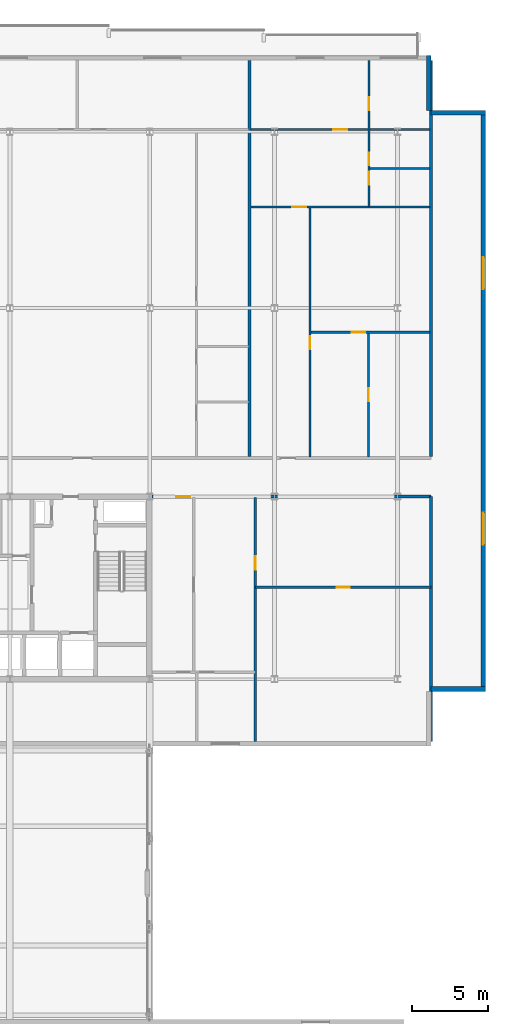
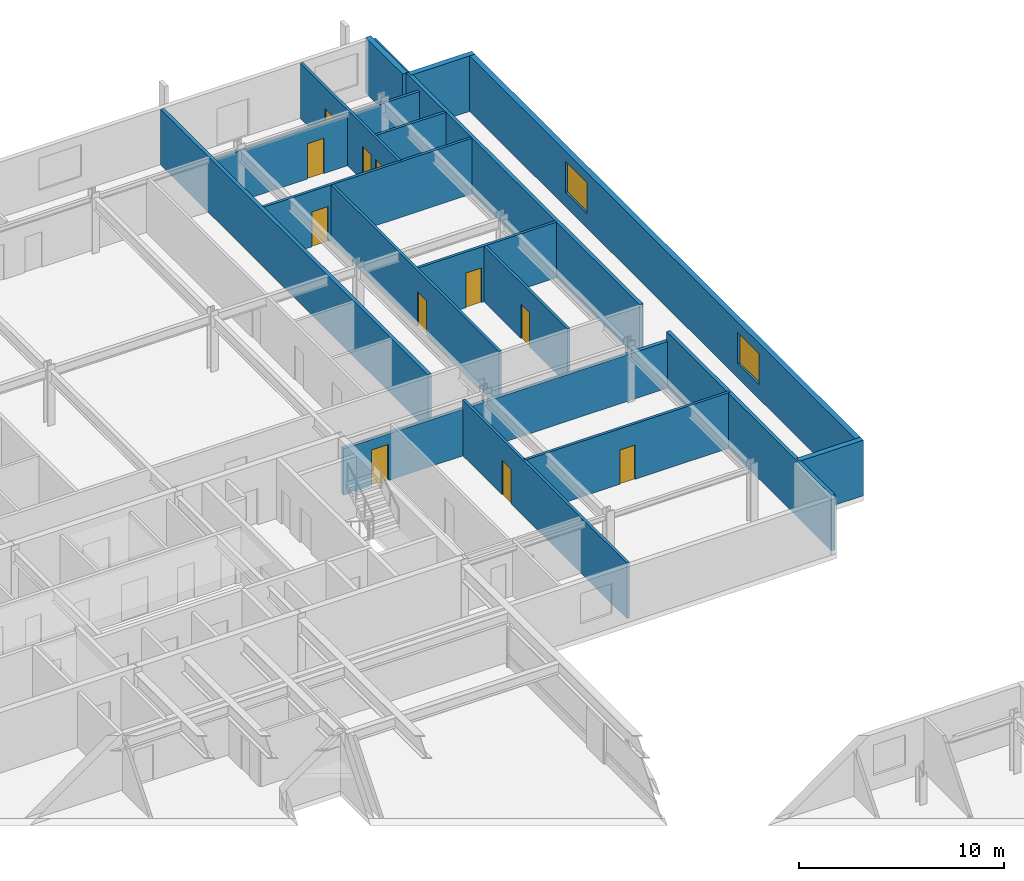
# One storey, part 28 of 35: 17 walls, 11 doors, 2 windows, 13 openings.
"""IFC4 building model written with IfcOpenShell, lengths in metres."""

import ifcopenshell
import ifcopenshell.guid

model = None  # the IFC model being written
_history = None  # IfcOwnerHistory: only IFC2X3 demands one
_inside = {}  # id of a spatial element -> (the spatial element, [elements in it])
_under = {}  # id of a project, library or spatial element -> (it, [spatial elements below it])
_declared = {}  # id of a project -> (the project, [libraries it declares])
_typed = {}  # id of a type object -> (the type object, [elements of that type])
_made_of = {}  # id of a material, layer set ... -> (it, [elements and type objects made of it])


def new_model(schema):
    """Start an empty IFC model of exactly this schema.

    Asked for "IFC4X3", IfcOpenShell would pick the latest addendum, in which some entities
    have other attributes; the version numbers below select the first issue.
    IFC2X3 requires an IfcOwnerHistory on every rooted entity: one is made here for all.
    """
    global model, _history
    if schema == "IFC4X3":
        model = ifcopenshell.file(schema_version=(4, 3, 0, 0))
    else:
        model = ifcopenshell.file(schema=schema)
    _inside.clear()
    _under.clear()
    _declared.clear()
    _typed.clear()
    _made_of.clear()
    _history = None
    if model.schema == "IFC2X3":
        org = make("IfcOrganization", Name="unknown")
        user = make(
            "IfcPersonAndOrganization",
            ThePerson=make("IfcPerson", FamilyName="unknown"),
            TheOrganization=org,
        )
        app = make(
            "IfcApplication",
            ApplicationDeveloper=org,
            Version="unknown",
            ApplicationFullName="unknown",
            ApplicationIdentifier="unknown",
        )
        _history = make(
            "IfcOwnerHistory",
            OwningUser=user,
            OwningApplication=app,
            ChangeAction="ADDED",
            CreationDate=0,
        )
    return model


def make(cls, **values):
    """One entity of the class cls with the attributes given. An attribute that is None is left unset."""
    return model.create_entity(
        cls, **{name: value for name, value in values.items() if value is not None}
    )


def rooted(cls, **values):
    """An entity with a GlobalId (a new one), such as an element, a storey or a relation."""
    return make(cls, GlobalId=ifcopenshell.guid.new(), OwnerHistory=_history, **values)


def si_unit(unit_type, name, prefix=None):
    """IfcSIUnit, for example si_unit("LENGTHUNIT", "METRE", prefix="MILLI")."""
    return make("IfcSIUnit", UnitType=unit_type, Prefix=prefix, Name=name)


def assignment(units):
    """IfcUnitAssignment: the units of a project."""
    return None if units is None else make("IfcUnitAssignment", Units=units)


def point(xyz):
    """IfcCartesianPoint."""
    return None if xyz is None else make("IfcCartesianPoint", Coordinates=xyz)


def direction(xyz):
    """IfcDirection."""
    return None if xyz is None else make("IfcDirection", DirectionRatios=xyz)


def frame(location, z_axis=None, x_axis=None):
    """IfcAxis2Placement3D, a coordinate frame: its origin and axes. An axis left out is left unset."""
    return make(
        "IfcAxis2Placement3D",
        Location=point(location),
        Axis=direction(z_axis),
        RefDirection=direction(x_axis),
    )


def frame_2d(location, x_axis=None):
    """IfcAxis2Placement2D, a coordinate frame in the plane: its origin and x axis."""
    return make(
        "IfcAxis2Placement2D", Location=point(location), RefDirection=direction(x_axis)
    )


def origin():
    """The frame at (0, 0, 0) with its axes left unset."""
    return frame((0.0, 0.0, 0.0))


def place(relative_to, where):
    """IfcLocalPlacement: puts the frame where relative to a parent placement (None: the world)."""
    return make(
        "IfcLocalPlacement", PlacementRelTo=relative_to, RelativePlacement=where
    )


def context(
    kind, dimensions, precision=None, world=None, true_north=None, identifier=None
):
    """IfcGeometricRepresentationContext, for example the 3D "Model" context."""
    return make(
        "IfcGeometricRepresentationContext",
        ContextIdentifier=identifier,
        ContextType=kind,
        CoordinateSpaceDimension=dimensions,
        Precision=precision,
        WorldCoordinateSystem=world,
        TrueNorth=true_north,
    )


def subcontext(parent, identifier, kind, view, scale=None):
    """IfcGeometricRepresentationSubContext, for example "Body" below "Model"."""
    return make(
        "IfcGeometricRepresentationSubContext",
        ContextIdentifier=identifier,
        ContextType=kind,
        ParentContext=parent,
        TargetScale=scale,
        TargetView=view,
    )


def project(units=None, contexts=None):
    """IfcProject with its units and contexts."""
    return rooted(
        "IfcProject",
        Name="project",
        RepresentationContexts=contexts,
        UnitsInContext=assignment(units),
    )


def spatial(cls, under=None, at=None, **own):
    """A site, building, storey or space (cls), placed at a placement, below another one or the project."""
    s = rooted(cls, ObjectPlacement=at, **own)
    if under is not None:
        _under.setdefault(under.id(), (under, []))[1].append(s)
    return s


def profile(cls, at=None, kind="AREA", **sizes):
    """A parametric profile (cls). Its sizes go by their IFC names, for example OverallWidth=200.0."""
    return make(cls, ProfileType=kind, Position=at, **sizes)


def rectangle(**sizes):
    """IfcRectangleProfileDef."""
    return profile("IfcRectangleProfileDef", **sizes)


def extrude(swept, where, along, depth):
    """IfcExtrudedAreaSolid: the profile swept, set in the frame where, extruded along a direction by depth."""
    return make(
        "IfcExtrudedAreaSolid",
        SweptArea=swept,
        Position=where,
        ExtrudedDirection=direction(along),
        Depth=depth,
    )


def shape(context_of_items, identifier, shape_type, items):
    """IfcShapeRepresentation: the items that make up one representation, for example the "Body"."""
    return make(
        "IfcShapeRepresentation",
        ContextOfItems=context_of_items,
        RepresentationIdentifier=identifier,
        RepresentationType=shape_type,
        Items=items,
    )


def material(Name=None, Category=None):
    """IfcMaterial."""
    return make("IfcMaterial", Name=Name, Category=Category)


def layer(
    of_material, thickness, ventilated=None, Name=None, Category=None, Priority=None
):
    """IfcMaterialLayer: one layer of a wall or slab, of a material (None: an air gap)."""
    return make(
        "IfcMaterialLayer",
        Material=of_material,
        LayerThickness=thickness,
        IsVentilated=ventilated,
        Name=Name,
        Category=Category,
        Priority=Priority,
    )


def layer_set(layers, Name=None):
    """IfcMaterialLayerSet."""
    return make("IfcMaterialLayerSet", MaterialLayers=layers, LayerSetName=Name)


def made_of(thing, what):
    """Note that an element or type object is made of a material, layer set ...; save() writes the relation."""
    if what is not None:
        _made_of.setdefault(what.id(), (what, []))[1].append(thing)
    return thing


def type_object(cls, material=None, **own):
    """A type object (cls), such as IfcWallType, which elements share."""
    return made_of(rooted(cls, **own), material)


def element(
    cls,
    number,
    at=None,
    inside=None,
    cuts=None,
    type_object=None,
    material=None,
    context=None,
    identifier="Body",
    shape_type=None,
    held_by="IfcProductDefinitionShape",
    body=None,
    shapes=None,
    **own,
):
    """One element of the class cls, such as IfcWall. Its Tag is "e" and its number.

    at: its placement. inside: the storey or other place that contains it. cuts: it is an
    opening in that element (IfcRelVoidsElement). A single representation is given by context,
    identifier, shape_type and body (its items); several are given by shapes. held_by: the class
    of the entity that holds the representations. save() writes the other relations.
    """
    e = rooted(cls, Tag="e%d" % number, ObjectPlacement=at, **own)
    if body is not None:
        shapes = [shape(context, identifier, shape_type, body)]
    if shapes is not None:
        e.Representation = make(held_by, Representations=shapes)
    if inside is not None:
        _inside.setdefault(inside.id(), (inside, []))[1].append(e)
    if cuts is not None:
        rooted(
            "IfcRelVoidsElement", RelatingBuildingElement=cuts, RelatedOpeningElement=e
        )
    if type_object is not None:
        _typed.setdefault(type_object.id(), (type_object, []))[1].append(e)
    return made_of(e, material)


def fill(opening, filler):
    """IfcRelFillsElement: the door or window that sits in an opening."""
    return rooted(
        "IfcRelFillsElement",
        RelatingOpeningElement=opening,
        RelatedBuildingElement=filler,
    )


def aggregate(whole, parts):
    """IfcRelAggregates: a whole, such as a stair, and the parts it consists of."""
    return rooted("IfcRelAggregates", RelatingObject=whole, RelatedObjects=parts)


def save(model, path):
    """Write the relations noted so far, then the file.

    IfcRelAggregates (storeys below a building ...), IfcRelContainedInSpatialStructure (elements
    in a storey), IfcRelDefinesByType, IfcRelAssociatesMaterial and IfcRelDeclares: one each for
    every whole, place, type object, material and project.
    """
    for whole, parts in _under.values():
        aggregate(whole, parts)
    for where, things in _inside.values():
        rooted(
            "IfcRelContainedInSpatialStructure",
            RelatedElements=things,
            RelatingStructure=where,
        )
    for kind, things in _typed.values():
        rooted("IfcRelDefinesByType", RelatedObjects=things, RelatingType=kind)
    for what, things in _made_of.values():
        rooted("IfcRelAssociatesMaterial", RelatedObjects=things, RelatingMaterial=what)
    for by, libraries in _declared.values():
        rooted("IfcRelDeclares", RelatingContext=by, RelatedDefinitions=libraries)
    model.write(path)


model = new_model("IFC4")

# Units and contexts
model_context = context("Model", 3, precision=1e-05, world=origin(), true_north=direction((0.0, 1.0)))
body_context = subcontext(model_context, "Body", "Model", "MODEL_VIEW")
ifc_project = project(units=[si_unit("LENGTHUNIT", "METRE"), si_unit("AREAUNIT", "SQUARE_METRE"), si_unit("VOLUMEUNIT", "CUBIC_METRE"), si_unit("PLANEANGLEUNIT", "RADIAN"), si_unit("MASSUNIT", "GRAM", prefix="KILO")], contexts=[model_context])

# Site, building, storey
site_placement = place(None, origin())
site = spatial("IfcSite", under=ifc_project, at=site_placement, CompositionType="ELEMENT")
building_placement = place(site_placement, origin())
building = spatial("IfcBuilding", under=site, at=building_placement, Name="Korimba Cascade Residences", CompositionType="ELEMENT")
storey_placement = place(building_placement, frame((0.0, 0.0, 150.10009765625)))
storey = spatial("IfcBuildingStorey", under=building, at=storey_placement, Name="L43", CompositionType="ELEMENT", Elevation=150.10009765625)

# Wall
ifc_material_1 = material(Name="Precast concrete C40/50", Category="concrete")
ifc_layer_1 = layer(ifc_material_1, 0.300048828125)
ifc_layer_set_1 = layer_set([ifc_layer_1], Name="Precast concrete C40/50")
wall_type_1 = type_object("IfcWallType", Name="EW-STONE-300", PredefinedType="STANDARD", material=ifc_layer_set_1)
wall_1_placement = place(storey_placement, frame((130.60009765625, 54.550048828125, 0.0), z_axis=(0.0, 0.0, 1.0), x_axis=(1.0, 0.0, 0.0)))
element("IfcWall", 1, at=wall_1_placement, inside=storey, type_object=wall_type_1, Name="L43 T1 Perimeter Stone Wall E02", PredefinedType="STANDARD", context=body_context, shape_type="SweptSolid", body=[
    extrude(rectangle(XDim=3.599853515625, YDim=0.300048828125, at=frame_2d((1.7998046875, 0.0))), origin(), (0.0, 0.0, 1.0), 3.309814453125),
])

# Wall, openings, windows
wall_2_placement = place(storey_placement, frame((134.050048828125, 54.39990234375, 0.0), z_axis=(0.0, 0.0, 1.0), x_axis=(0.0, 1.0, 0.0)))
wall_2 = element("IfcWall", 2, at=wall_2_placement, inside=storey, type_object=wall_type_1, Name="L43 T1 Perimeter Stone Wall E03", PredefinedType="STANDARD", context=body_context, shape_type="SweptSolid", body=[
    extrude(rectangle(XDim=38.2001953125, YDim=0.300048828125, at=frame_2d((19.10009765625, 0.0))), origin(), (0.0, 0.0, 1.0), 3.309814453125),
])
opening_1_placement = place(wall_2_placement, frame((9.64599609375, 0.0, 0.85009765625)))
opening_1 = element("IfcOpeningElement", 3, at=opening_1_placement, cuts=wall_2, Name="Opening W-03", PredefinedType="OPENING", context=body_context, shape_type="SweptSolid", body=[
    extrude(rectangle(XDim=2.10009765625, YDim=1.85009765625, at=frame_2d((1.050048828125, 0.925048828125))), frame((0.0, 0.16015625, 0.0), z_axis=(0.0, -1.0, 0.0), x_axis=(1.0, 0.0, 0.0)), (0.0, 0.0, 1.0), 0.320068359375),
])
opening_2_placement = place(wall_2_placement, frame((26.4541015625, 0.0, 0.85009765625)))
opening_2 = element("IfcOpeningElement", 4, at=opening_2_placement, cuts=wall_2, Name="Opening W-03", PredefinedType="OPENING", context=body_context, shape_type="SweptSolid", body=[
    extrude(rectangle(XDim=2.10009765625, YDim=1.85009765625, at=frame_2d((1.050048828125, 0.925048828125))), frame((0.0, 0.16015625, 0.0), z_axis=(0.0, -1.0, 0.0), x_axis=(1.0, 0.0, 0.0)), (0.0, 0.0, 1.0), 0.320068359375),
])
ifc_material_2 = material(Name="Double-Glazed Aluminium Window", Category="aluminium")
window_type = type_object("IfcWindowType", Name="WIN-CRN-2100", PartitioningType="DOUBLE_PANEL_HORIZONTAL", PredefinedType="WINDOW", material=ifc_material_2)
window_1_placement = place(opening_1_placement, origin())
window_1 = element("IfcWindow", 5, at=window_1_placement, inside=storey, type_object=window_type, Name="L43 T1 End View Window 3.1", OverallHeight=1.85009765625, OverallWidth=2.10009765625, PartitioningType="DOUBLE_PANEL_HORIZONTAL", PredefinedType="WINDOW", context=body_context, shape_type="SweptSolid", body=[
    extrude(rectangle(XDim=2.10009765625, YDim=1.85009765625, at=frame_2d((1.050048828125, 0.925048828125))), frame((0.0, 0.030029296875, 0.0), z_axis=(0.0, -1.0, 0.0), x_axis=(1.0, 0.0, 0.0)), (0.0, 0.0, 1.0), 0.06005859375),
])
fill(opening_1, window_1)
window_2_placement = place(opening_2_placement, origin())
window_2 = element("IfcWindow", 6, at=window_2_placement, inside=storey, type_object=window_type, Name="L43 T1 End View Window 3.2", OverallHeight=1.85009765625, OverallWidth=2.10009765625, PartitioningType="DOUBLE_PANEL_HORIZONTAL", PredefinedType="WINDOW", context=body_context, shape_type="SweptSolid", body=[
    extrude(rectangle(XDim=2.10009765625, YDim=1.85009765625, at=frame_2d((1.050048828125, 0.925048828125))), frame((0.0, 0.030029296875, 0.0), z_axis=(0.0, -1.0, 0.0), x_axis=(1.0, 0.0, 0.0)), (0.0, 0.0, 1.0), 0.06005859375),
])
fill(opening_2, window_2)

# Walls
for number, where, z_axis, x_axis, name in (
    (7, (134.199951171875, 92.449951171875, 0.0), (0.0, 0.0, 1.0), (-1.0, 0.0, 0.0), "L43 T1 Perimeter Stone Wall E04"),
    (8, (130.449951171875, 92.60009765625, 0.0), (0.0, 0.0, 1.0), (0.0, 1.0, 0.0), "L43 T1 Perimeter Stone Wall E05"),
):
    element("IfcWall", number, at=place(storey_placement, frame(where, z_axis=z_axis, x_axis=x_axis)), inside=storey, type_object=wall_type_1, Name=name, PredefinedType="STANDARD", context=body_context, shape_type="SweptSolid", body=[
        extrude(rectangle(XDim=3.599853515625, YDim=0.300048828125, at=frame_2d((1.7998046875, 0.0))), origin(), (0.0, 0.0, 1.0), 3.309814453125),
    ])
ifc_layer_2 = layer(ifc_material_1, 0.199951171875)
ifc_layer_set_2 = layer_set([ifc_layer_2], Name="Precast concrete C40/50")
wall_type_2 = type_object("IfcWallType", Name="WAL-IT-200", PredefinedType="PARTITIONING", material=ifc_layer_set_2)
wall_3_placement = place(storey_placement, frame((130.60009765625, 51.10009765625, 0.0), z_axis=(0.0, 0.0, 1.0), x_axis=(0.0, 1.0, 0.0)))
element("IfcWall", 9, at=wall_3_placement, inside=storey, type_object=wall_type_2, Name="L43 Partition Wall WAL-L43-T1-FE-WR", PredefinedType="PARTITIONING", context=body_context, shape_type="SweptSolid", body=[
    extrude(rectangle(XDim=16.099853515625, YDim=0.199951171875, at=frame_2d((8.0498046875, 0.0))), origin(), (0.0, 0.0, 1.0), 3.309814453125),
])

# Wall, opening, door
wall_4_placement = place(storey_placement, frame((112.25, 67.199951171875, 0.0), z_axis=(0.0, 0.0, 1.0), x_axis=(1.0, 0.0, 0.0)))
wall_4 = element("IfcWall", 10, at=wall_4_placement, inside=storey, type_object=wall_type_2, Name="L43 Partition Wall WAL-L43-T1-FE-N", PredefinedType="PARTITIONING", context=body_context, shape_type="SweptSolid", body=[
    extrude(rectangle(XDim=18.35009765625, YDim=0.199951171875, at=frame_2d((9.175048828125, 0.0))), origin(), (0.0, 0.0, 1.0), 2.773193359375),
])
opening_3_placement = place(wall_4_placement, frame((1.580078125, 0.0, 0.0)))
opening_3 = element("IfcOpeningElement", 11, at=opening_3_placement, cuts=wall_4, Name="Opening D-UN1", PredefinedType="OPENING", context=body_context, shape_type="SweptSolid", body=[
    extrude(rectangle(XDim=0.949951171875, YDim=2.14990234375, at=frame_2d((0.47509765625, 1.074951171875))), frame((0.0, 0.10986328125, 0.0), z_axis=(0.0, -1.0, 0.0), x_axis=(1.0, 0.0, 0.0)), (0.0, 0.0, 1.0), 0.219970703125),
])
ifc_material_3 = material(Name="Fire-Rated Hardwood Apartment Entrance Door", Category="wood")
door_type_1 = type_object("IfcDoorType", Name="DR-FD60-950", OperationType="NOTDEFINED", PredefinedType="DOOR", material=ifc_material_3)
door_1_placement = place(opening_3_placement, origin())
door_1 = element("IfcDoor", 12, at=door_1_placement, inside=storey, type_object=door_type_1, Name="L43-T1-FE Entrance Door", OperationType="SINGLE_SWING_LEFT", OverallHeight=2.14990234375, OverallWidth=0.949951171875, PredefinedType="DOOR", context=body_context, shape_type="SweptSolid", body=[
    extrude(rectangle(XDim=0.949951171875, YDim=2.14990234375, at=frame_2d((0.47509765625, 1.074951171875))), frame((0.0, 0.02490234375, 0.0), z_axis=(0.0, -1.0, 0.0), x_axis=(1.0, 0.0, 0.0)), (0.0, 0.0, 1.0), 0.050048828125),
])
fill(opening_3, door_1)

# Walls
for number, where, z_axis, x_axis, name in (
    (13, (130.60009765625, 69.830078125, 0.0), (0.0, 0.0, 1.0), (0.0, 1.0, 0.0), "L43 Partition Wall WAL-L43-T1-BNDWR"),
    (14, (118.67724609375, 69.830078125, 0.0), (0.0, 0.0, 1.0), (0.0, 1.0, 0.0), "L43 Partition Wall WAL-L43-T1-DEM-3"),
):
    element("IfcWall", number, at=place(storey_placement, frame(where, z_axis=z_axis, x_axis=x_axis)), inside=storey, type_object=wall_type_2, Name=name, PredefinedType="PARTITIONING", context=body_context, shape_type="SweptSolid", body=[
        extrude(rectangle(XDim=26.06982421875, YDim=0.199951171875, at=frame_2d((13.034912109375, 0.0))), origin(), (0.0, 0.0, 1.0), 3.309814453125),
    ])

# Wall, opening, door
ifc_material_4 = material(Name="Insulated Acoustic Stud Partition", Category="gypsum")
ifc_layer_3 = layer(ifc_material_4, 0.14990234375)
ifc_layer_set_3 = layer_set([ifc_layer_3], Name="Insulated Acoustic Stud Partition")
wall_type_3 = type_object("IfcWallType", Name="WAL-PART-150", PredefinedType="PARTITIONING", material=ifc_layer_set_3)
wall_5_placement = place(storey_placement, frame((119.050048828125, 61.25, 0.0), z_axis=(0.0, 0.0, 1.0), x_axis=(1.0, 0.0, 0.0)))
wall_5 = element("IfcWall", 15, at=wall_5_placement, inside=storey, type_object=wall_type_3, Name="L43 Partition Wall WAL-L43-T1-FE-STH", PredefinedType="PARTITIONING", context=body_context, shape_type="SweptSolid", body=[
    extrude(rectangle(XDim=11.550048828125, YDim=0.14990234375, at=frame_2d((5.77490234375, 0.0))), origin(), (0.0, 0.0, 1.0), 3.309814453125),
])
opening_4_placement = place(wall_5_placement, frame((5.35498046875, 0.0, 0.0)))
opening_4 = element("IfcOpeningElement", 16, at=opening_4_placement, cuts=wall_5, Name="Opening D-BT1", PredefinedType="OPENING", context=body_context, shape_type="SweptSolid", body=[
    extrude(rectangle(XDim=0.840087890625, YDim=2.0400390625, at=frame_2d((0.419921875, 1.02001953125))), frame((0.0, 0.0849609375, 0.0), z_axis=(0.0, -1.0, 0.0), x_axis=(1.0, 0.0, 0.0)), (0.0, 0.0, 1.0), 0.169921875),
])
ifc_material_5 = material(Name="Moisture-Resistant Bathroom Timber Door", Category="wood")
door_type_2 = type_object("IfcDoorType", Name="DR-INT-850", OperationType="NOTDEFINED", PredefinedType="DOOR", material=ifc_material_5)
door_2_placement = place(opening_4_placement, origin())
door_2 = element("IfcDoor", 17, at=door_2_placement, inside=storey, type_object=door_type_2, Name="L43-T1-FE Dressing Store Door", OperationType="SINGLE_SWING_RIGHT", OverallHeight=2.0400390625, OverallWidth=0.840087890625, PredefinedType="DOOR", context=body_context, shape_type="SweptSolid", body=[
    extrude(rectangle(XDim=0.840087890625, YDim=2.0400390625, at=frame_2d((0.419921875, 1.02001953125))), frame((0.0, 0.02490234375, 0.0), z_axis=(0.0, -1.0, 0.0), x_axis=(1.0, 0.0, 0.0)), (0.0, 0.0, 1.0), 0.050048828125),
])
fill(opening_4, door_2)

wall_6_placement = place(storey_placement, frame((119.050048828125, 51.10009765625, 0.0), z_axis=(0.0, 0.0, 1.0), x_axis=(0.0, 1.0, 0.0)))
wall_6 = element("IfcWall", 18, at=wall_6_placement, inside=storey, type_object=wall_type_3, Name="L43 Partition Wall WAL-L43-T1-FE-STV", PredefinedType="PARTITIONING", context=body_context, shape_type="SweptSolid", body=[
    extrude(rectangle(XDim=16.0498046875, YDim=0.14990234375, at=frame_2d((8.02490234375, 0.0))), origin(), (0.0, 0.0, 1.0), 3.309814453125),
])
opening_5_placement = place(wall_6_placement, frame((11.300048828125, 0.0, 0.0)))
opening_5 = element("IfcOpeningElement", 19, at=opening_5_placement, cuts=wall_6, Name="Opening D-IN2", PredefinedType="OPENING", context=body_context, shape_type="SweptSolid", body=[
    extrude(rectangle(XDim=0.8798828125, YDim=2.06005859375, at=frame_2d((0.43994140625, 1.030029296875))), frame((0.0, 0.0849609375, 0.0), z_axis=(0.0, -1.0, 0.0), x_axis=(1.0, 0.0, 0.0)), (0.0, 0.0, 1.0), 0.169921875),
])
ifc_material_6 = material(Name="Acoustic Timber Bedroom Door", Category="wood")
door_type_3 = type_object("IfcDoorType", Name="DR-INT-880", OperationType="NOTDEFINED", PredefinedType="DOOR", material=ifc_material_6)
door_3_placement = place(opening_5_placement, origin())
door_3 = element("IfcDoor", 20, at=door_3_placement, inside=storey, type_object=door_type_3, Name="L43-T1-FE Study Door", OperationType="SINGLE_SWING_LEFT", OverallHeight=2.06005859375, OverallWidth=0.8798828125, PredefinedType="DOOR", context=body_context, shape_type="SweptSolid", body=[
    extrude(rectangle(XDim=0.8798828125, YDim=2.06005859375, at=frame_2d((0.43994140625, 1.030029296875))), frame((0.0, 0.02490234375, 0.0), z_axis=(0.0, -1.0, 0.0), x_axis=(1.0, 0.0, 0.0)), (0.0, 0.0, 1.0), 0.050048828125),
])
fill(opening_5, door_3)

wall_7_placement = place(storey_placement, frame((126.49365234375, 69.81005859375, 0.0), z_axis=(0.0, 0.0, 1.0), x_axis=(0.0, 1.0, 0.0)))
wall_7 = element("IfcWall", 21, at=wall_7_placement, inside=storey, type_object=wall_type_3, Name="L43 Partition Wall WAL-L43-T1-U04-FMV", PredefinedType="PARTITIONING", context=body_context, shape_type="SweptSolid", body=[
    extrude(rectangle(XDim=8.199951171875, YDim=0.14990234375, at=frame_2d((4.10009765625, 0.0))), origin(), (0.0, 0.0, 1.0), 3.309814453125),
])
opening_6_placement = place(wall_7_placement, frame((3.679931640625, 0.0, 0.0)))
opening_6 = element("IfcOpeningElement", 22, at=opening_6_placement, cuts=wall_7, Name="Opening D-BT1", PredefinedType="OPENING", context=body_context, shape_type="SweptSolid", body=[
    extrude(rectangle(XDim=0.840087890625, YDim=2.0400390625, at=frame_2d((0.419921875, 1.02001953125))), frame((0.0, 0.0849609375, 0.0), z_axis=(0.0, -1.0, 0.0), x_axis=(1.0, 0.0, 0.0)), (0.0, 0.0, 1.0), 0.169921875),
])
door_4_placement = place(opening_6_placement, origin())
door_4 = element("IfcDoor", 23, at=door_4_placement, inside=storey, type_object=door_type_2, Name="L43-T1-U04 Wardrobe Door", OperationType="SINGLE_SWING_LEFT", OverallHeight=2.0400390625, OverallWidth=0.840087890625, PredefinedType="DOOR", context=body_context, shape_type="SweptSolid", body=[
    extrude(rectangle(XDim=0.840087890625, YDim=2.0400390625, at=frame_2d((0.419921875, 1.02001953125))), frame((0.0, 0.02490234375, 0.0), z_axis=(0.0, -1.0, 0.0), x_axis=(1.0, 0.0, 0.0)), (0.0, 0.0, 1.0), 0.050048828125),
])
fill(opening_6, door_4)

wall_8_placement = place(storey_placement, frame((122.707275390625, 78.010009765625, 0.0), z_axis=(0.0, 0.0, 1.0), x_axis=(1.0, 0.0, 0.0)))
wall_8 = element("IfcWall", 24, at=wall_8_placement, inside=storey, type_object=wall_type_3, Name="L43 Partition Wall WAL-L43-T1-U04-FMH", PredefinedType="PARTITIONING", context=body_context, shape_type="SweptSolid", body=[
    extrude(rectangle(XDim=7.812744140625, YDim=0.14990234375, at=frame_2d((3.90625, 0.0))), origin(), (0.0, 0.0, 1.0), 3.309814453125),
])
opening_7_placement = place(wall_8_placement, frame((2.686279296875, 0.0, 0.0)))
opening_7 = element("IfcOpeningElement", 25, at=opening_7_placement, cuts=wall_8, Name="Opening D-IN2", PredefinedType="OPENING", context=body_context, shape_type="SweptSolid", body=[
    extrude(rectangle(XDim=0.8798828125, YDim=2.06005859375, at=frame_2d((0.43994140625, 1.030029296875))), frame((0.0, 0.0849609375, 0.0), z_axis=(0.0, -1.0, 0.0), x_axis=(1.0, 0.0, 0.0)), (0.0, 0.0, 1.0), 0.169921875),
])
door_5_placement = place(opening_7_placement, origin())
door_5 = element("IfcDoor", 26, at=door_5_placement, inside=storey, type_object=door_type_3, Name="L43-T1-U04 Library Salon Door", OperationType="SINGLE_SWING_RIGHT", OverallHeight=2.06005859375, OverallWidth=0.8798828125, PredefinedType="DOOR", context=body_context, shape_type="SweptSolid", body=[
    extrude(rectangle(XDim=0.8798828125, YDim=2.06005859375, at=frame_2d((0.43994140625, 1.030029296875))), frame((0.0, 0.02490234375, 0.0), z_axis=(0.0, -1.0, 0.0), x_axis=(1.0, 0.0, 0.0)), (0.0, 0.0, 1.0), 0.050048828125),
])
fill(opening_7, door_5)

wall_9_placement = place(storey_placement, frame((122.647216796875, 69.81005859375, 0.0), z_axis=(0.0, 0.0, 1.0), x_axis=(0.0, 1.0, 0.0)))
wall_9 = element("IfcWall", 27, at=wall_9_placement, inside=storey, type_object=wall_type_3, Name="L43 Partition Wall WAL-L43-T1-U04-FV", PredefinedType="PARTITIONING", context=body_context, shape_type="SweptSolid", body=[
    extrude(rectangle(XDim=16.39990234375, YDim=0.14990234375, at=frame_2d((8.199951171875, 0.0))), origin(), (0.0, 0.0, 1.0), 3.309814453125),
])
opening_8_placement = place(wall_9_placement, frame((7.070068359375, 0.0, 0.0)))
opening_8 = element("IfcOpeningElement", 28, at=opening_8_placement, cuts=wall_9, Name="Opening D-IN2", PredefinedType="OPENING", context=body_context, shape_type="SweptSolid", body=[
    extrude(rectangle(XDim=0.8798828125, YDim=2.06005859375, at=frame_2d((0.43994140625, 1.030029296875))), frame((0.0, 0.0849609375, 0.0), z_axis=(0.0, -1.0, 0.0), x_axis=(1.0, 0.0, 0.0)), (0.0, 0.0, 1.0), 0.169921875),
])
door_6_placement = place(opening_8_placement, origin())
door_6 = element("IfcDoor", 29, at=door_6_placement, inside=storey, type_object=door_type_3, Name="L43-T1-U04 Media Lounge Door", OperationType="SINGLE_SWING_LEFT", OverallHeight=2.06005859375, OverallWidth=0.8798828125, PredefinedType="DOOR", context=body_context, shape_type="SweptSolid", body=[
    extrude(rectangle(XDim=0.8798828125, YDim=2.06005859375, at=frame_2d((0.43994140625, 1.030029296875))), frame((0.0, 0.02490234375, 0.0), z_axis=(0.0, -1.0, 0.0), x_axis=(1.0, 0.0, 0.0)), (0.0, 0.0, 1.0), 0.050048828125),
])
fill(opening_8, door_6)

# Wall
wall_10_placement = place(storey_placement, frame((126.580078125, 88.7900390625, 0.0), z_axis=(0.0, 0.0, 1.0), x_axis=(1.0, 0.0, 0.0)))
element("IfcWall", 30, at=wall_10_placement, inside=storey, type_object=wall_type_3, Name="L43 Partition Wall WAL-L43-T1-U04-BLDIV", PredefinedType="PARTITIONING", context=body_context, shape_type="SweptSolid", body=[
    extrude(rectangle(XDim=3.93994140625, YDim=0.14990234375, at=frame_2d((1.969970703125, 0.0))), origin(), (0.0, 0.0, 1.0), 3.309814453125),
])

# Wall, openings, doors
wall_11_placement = place(storey_placement, frame((126.52001953125, 86.2900390625, 0.0), z_axis=(0.0, 0.0, 1.0), x_axis=(0.0, 1.0, 0.0)))
wall_11 = element("IfcWall", 31, at=wall_11_placement, inside=storey, type_object=wall_type_3, Name="L43 Partition Wall WAL-L43-T1-U04-V1", PredefinedType="PARTITIONING", context=body_context, shape_type="SweptSolid", body=[
    extrude(rectangle(XDim=9.60986328125, YDim=0.14990234375, at=frame_2d((4.804931640625, 0.0))), origin(), (0.0, 0.0, 1.0), 3.309814453125),
])
opening_9_placement = place(wall_11_placement, frame((1.430419921875, 0.0, 0.0)))
opening_9 = element("IfcOpeningElement", 32, at=opening_9_placement, cuts=wall_11, Name="Opening D-BT1", PredefinedType="OPENING", context=body_context, shape_type="SweptSolid", body=[
    extrude(rectangle(XDim=0.840087890625, YDim=2.0400390625, at=frame_2d((0.419921875, 1.02001953125))), frame((0.0, 0.0849609375, 0.0), z_axis=(0.0, -1.0, 0.0), x_axis=(1.0, 0.0, 0.0)), (0.0, 0.0, 1.0), 0.169921875),
])
opening_10_placement = place(wall_11_placement, frame((2.704833984375, 0.0, 0.0)))
opening_10 = element("IfcOpeningElement", 33, at=opening_10_placement, cuts=wall_11, Name="Opening D-BT1", PredefinedType="OPENING", context=body_context, shape_type="SweptSolid", body=[
    extrude(rectangle(XDim=0.840087890625, YDim=2.0400390625, at=frame_2d((0.419921875, 1.02001953125))), frame((0.0, 0.0849609375, 0.0), z_axis=(0.0, -1.0, 0.0), x_axis=(1.0, 0.0, 0.0)), (0.0, 0.0, 1.0), 0.169921875),
])
opening_11_placement = place(wall_11_placement, frame((6.31396484375, 0.0, 0.0)))
opening_11 = element("IfcOpeningElement", 34, at=opening_11_placement, cuts=wall_11, Name="Opening D-IN2", PredefinedType="OPENING", context=body_context, shape_type="SweptSolid", body=[
    extrude(rectangle(XDim=0.8798828125, YDim=2.06005859375, at=frame_2d((0.43994140625, 1.030029296875))), frame((0.0, 0.0849609375, 0.0), z_axis=(0.0, -1.0, 0.0), x_axis=(1.0, 0.0, 0.0)), (0.0, 0.0, 1.0), 0.169921875),
])
door_7_placement = place(opening_9_placement, origin())
door_7 = element("IfcDoor", 35, at=door_7_placement, inside=storey, type_object=door_type_2, Name="L43-T1-U04 Bathroom Door", OperationType="SINGLE_SWING_RIGHT", OverallHeight=2.0400390625, OverallWidth=0.840087890625, PredefinedType="DOOR", context=body_context, shape_type="SweptSolid", body=[
    extrude(rectangle(XDim=0.840087890625, YDim=2.0400390625, at=frame_2d((0.419921875, 1.02001953125))), frame((0.0, 0.02490234375, 0.0), z_axis=(0.0, -1.0, 0.0), x_axis=(1.0, 0.0, 0.0)), (0.0, 0.0, 1.0), 0.050048828125),
])
fill(opening_9, door_7)
door_8_placement = place(opening_10_placement, origin())
door_8 = element("IfcDoor", 36, at=door_8_placement, inside=storey, type_object=door_type_2, Name="L43-T1-U04 Laundry Door", OperationType="SINGLE_SWING_LEFT", OverallHeight=2.0400390625, OverallWidth=0.840087890625, PredefinedType="DOOR", context=body_context, shape_type="SweptSolid", body=[
    extrude(rectangle(XDim=0.840087890625, YDim=2.0400390625, at=frame_2d((0.419921875, 1.02001953125))), frame((0.0, 0.02490234375, 0.0), z_axis=(0.0, -1.0, 0.0), x_axis=(1.0, 0.0, 0.0)), (0.0, 0.0, 1.0), 0.050048828125),
])
fill(opening_10, door_8)
door_9_placement = place(opening_11_placement, origin())
door_9 = element("IfcDoor", 37, at=door_9_placement, inside=storey, type_object=door_type_3, Name="L43-T1-U04 Bedroom 1 Door", OperationType="SINGLE_SWING_RIGHT", OverallHeight=2.06005859375, OverallWidth=0.8798828125, PredefinedType="DOOR", context=body_context, shape_type="SweptSolid", body=[
    extrude(rectangle(XDim=0.8798828125, YDim=2.06005859375, at=frame_2d((0.43994140625, 1.030029296875))), frame((0.0, 0.02490234375, 0.0), z_axis=(0.0, -1.0, 0.0), x_axis=(1.0, 0.0, 0.0)), (0.0, 0.0, 1.0), 0.050048828125),
])
fill(opening_11, door_9)

# Wall, opening, door
wall_12_placement = place(storey_placement, frame((118.757080078125, 86.25, 0.0), z_axis=(0.0, 0.0, 1.0), x_axis=(1.0, 0.0, 0.0)))
wall_12 = element("IfcWall", 38, at=wall_12_placement, inside=storey, type_object=wall_type_3, Name="L43 Partition Wall WAL-L43-T1-U04-MW", PredefinedType="PARTITIONING", context=body_context, shape_type="SweptSolid", body=[
    extrude(rectangle(XDim=11.762939453125, YDim=0.14990234375, at=frame_2d((5.88134765625, 0.0))), origin(), (0.0, 0.0, 1.0), 3.309814453125),
])
opening_12_placement = place(wall_12_placement, frame((2.719970703125, 0.0, 0.0)))
opening_12 = element("IfcOpeningElement", 39, at=opening_12_placement, cuts=wall_12, Name="Opening D-IN1", PredefinedType="OPENING", context=body_context, shape_type="SweptSolid", body=[
    extrude(rectangle(XDim=0.919921875, YDim=2.080078125, at=frame_2d((0.4599609375, 1.0400390625))), frame((0.0, 0.0849609375, 0.0), z_axis=(0.0, -1.0, 0.0), x_axis=(1.0, 0.0, 0.0)), (0.0, 0.0, 1.0), 0.169921875),
])
ifc_material_7 = material(Name="Acoustic Timber Living Door", Category="wood")
door_type_4 = type_object("IfcDoorType", Name="DR-INT-920", OperationType="NOTDEFINED", PredefinedType="DOOR", material=ifc_material_7)
door_10_placement = place(opening_12_placement, origin())
door_10 = element("IfcDoor", 40, at=door_10_placement, inside=storey, type_object=door_type_4, Name="L43-T1-U04 Kitchen Archway Door", OperationType="SINGLE_SWING_LEFT", OverallHeight=2.080078125, OverallWidth=0.919921875, PredefinedType="DOOR", context=body_context, shape_type="SweptSolid", body=[
    extrude(rectangle(XDim=0.919921875, YDim=2.080078125, at=frame_2d((0.4599609375, 1.0400390625))), frame((0.0, 0.02490234375, 0.0), z_axis=(0.0, -1.0, 0.0), x_axis=(1.0, 0.0, 0.0)), (0.0, 0.0, 1.0), 0.050048828125),
])
fill(opening_12, door_10)

wall_13_placement = place(storey_placement, frame((118.757080078125, 91.35009765625, 0.0), z_axis=(0.0, 0.0, 1.0), x_axis=(1.0, 0.0, 0.0)))
wall_13 = element("IfcWall", 41, at=wall_13_placement, inside=storey, type_object=wall_type_3, Name="L43 Partition Wall WAL-L43-T1-U04-HZ", PredefinedType="PARTITIONING", context=body_context, shape_type="SweptSolid", body=[
    extrude(rectangle(XDim=11.762939453125, YDim=0.14990234375, at=frame_2d((5.88134765625, 0.0))), origin(), (0.0, 0.0, 1.0), 3.00341796875),
])
opening_13_placement = place(wall_13_placement, frame((5.411376953125, 0.0, 0.0)))
opening_13 = element("IfcOpeningElement", 42, at=opening_13_placement, cuts=wall_13, Name="Opening D-IN0", PredefinedType="OPENING", context=body_context, shape_type="SweptSolid", body=[
    extrude(rectangle(XDim=0.93994140625, YDim=2.10009765625, at=frame_2d((0.469970703125, 1.050048828125))), frame((0.0, 0.0849609375, 0.0), z_axis=(0.0, -1.0, 0.0), x_axis=(1.0, 0.0, 0.0)), (0.0, 0.0, 1.0), 0.169921875),
])
ifc_material_8 = material(Name="Acoustic Timber Living Archway Door", Category="wood")
door_type_5 = type_object("IfcDoorType", Name="DR-INT-950", OperationType="NOTDEFINED", PredefinedType="DOOR", material=ifc_material_8)
door_11_placement = place(opening_13_placement, origin())
door_11 = element("IfcDoor", 43, at=door_11_placement, inside=storey, type_object=door_type_5, Name="L43-T1-U04 Living Archway Door", OperationType="SINGLE_SWING_RIGHT", OverallHeight=2.10009765625, OverallWidth=0.93994140625, PredefinedType="DOOR", context=body_context, shape_type="SweptSolid", body=[
    extrude(rectangle(XDim=0.93994140625, YDim=2.10009765625, at=frame_2d((0.469970703125, 1.050048828125))), frame((0.0, 0.02490234375, 0.0), z_axis=(0.0, -1.0, 0.0), x_axis=(1.0, 0.0, 0.0)), (0.0, 0.0, 1.0), 0.050048828125),
])
fill(opening_13, door_11)

save(model, "model.ifc")
